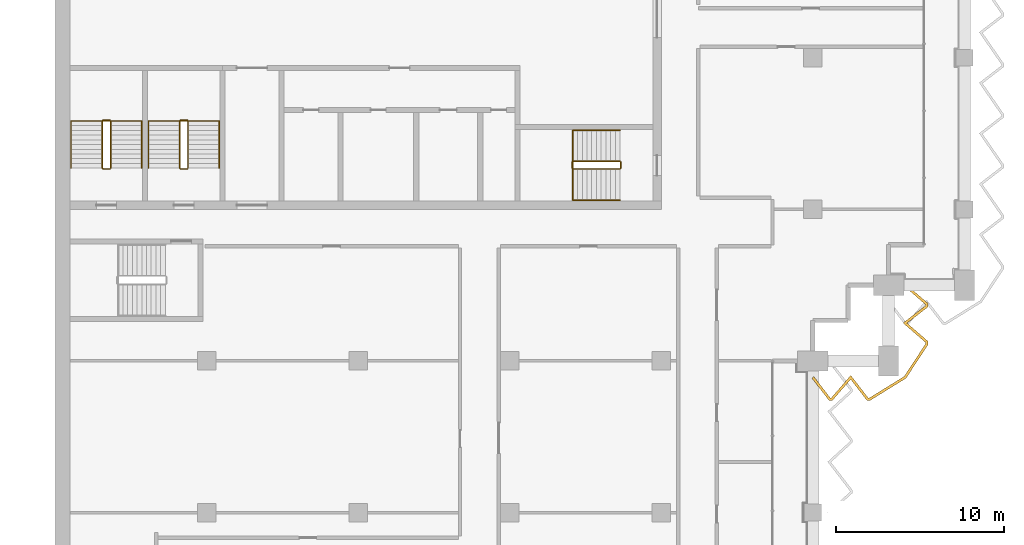
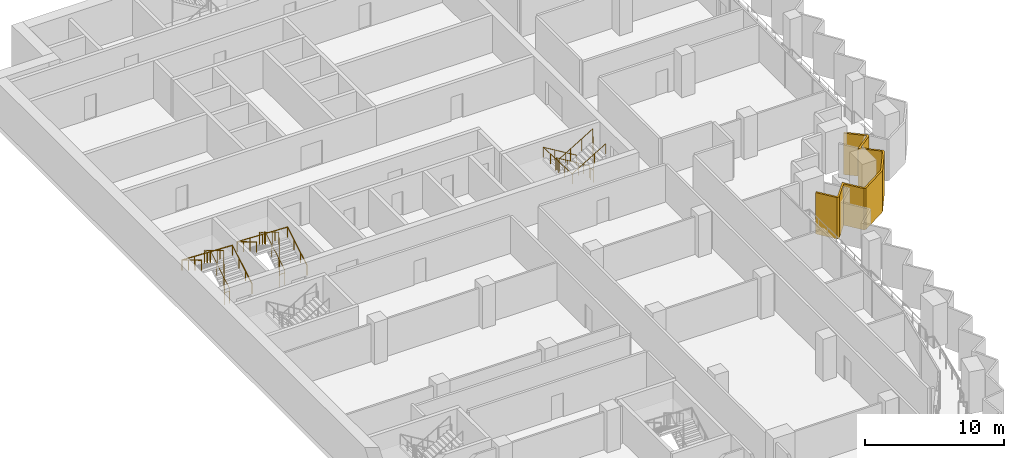
# One storey, part 16 of 17: 6 railings, 1 shading device.
"""IFC4 building model written with IfcOpenShell, lengths in metres."""

import ifcopenshell
import ifcopenshell.guid

model = None  # the IFC model being written
_history = None  # IfcOwnerHistory: only IFC2X3 demands one
_inside = {}  # id of a spatial element -> (the spatial element, [elements in it])
_under = {}  # id of a project, library or spatial element -> (it, [spatial elements below it])
_declared = {}  # id of a project -> (the project, [libraries it declares])
_typed = {}  # id of a type object -> (the type object, [elements of that type])
_made_of = {}  # id of a material, layer set ... -> (it, [elements and type objects made of it])


def new_model(schema):
    """Start an empty IFC model of exactly this schema.

    Asked for "IFC4X3", IfcOpenShell would pick the latest addendum, in which some entities
    have other attributes; the version numbers below select the first issue.
    IFC2X3 requires an IfcOwnerHistory on every rooted entity: one is made here for all.
    """
    global model, _history
    if schema == "IFC4X3":
        model = ifcopenshell.file(schema_version=(4, 3, 0, 0))
    else:
        model = ifcopenshell.file(schema=schema)
    _inside.clear()
    _under.clear()
    _declared.clear()
    _typed.clear()
    _made_of.clear()
    _history = None
    if model.schema == "IFC2X3":
        org = make("IfcOrganization", Name="unknown")
        user = make(
            "IfcPersonAndOrganization",
            ThePerson=make("IfcPerson", FamilyName="unknown"),
            TheOrganization=org,
        )
        app = make(
            "IfcApplication",
            ApplicationDeveloper=org,
            Version="unknown",
            ApplicationFullName="unknown",
            ApplicationIdentifier="unknown",
        )
        _history = make(
            "IfcOwnerHistory",
            OwningUser=user,
            OwningApplication=app,
            ChangeAction="ADDED",
            CreationDate=0,
        )
    return model


def make(cls, **values):
    """One entity of the class cls with the attributes given. An attribute that is None is left unset."""
    return model.create_entity(
        cls, **{name: value for name, value in values.items() if value is not None}
    )


def rooted(cls, **values):
    """An entity with a GlobalId (a new one), such as an element, a storey or a relation."""
    return make(cls, GlobalId=ifcopenshell.guid.new(), OwnerHistory=_history, **values)


def si_unit(unit_type, name, prefix=None):
    """IfcSIUnit, for example si_unit("LENGTHUNIT", "METRE", prefix="MILLI")."""
    return make("IfcSIUnit", UnitType=unit_type, Prefix=prefix, Name=name)


def assignment(units):
    """IfcUnitAssignment: the units of a project."""
    return None if units is None else make("IfcUnitAssignment", Units=units)


def point(xyz):
    """IfcCartesianPoint."""
    return None if xyz is None else make("IfcCartesianPoint", Coordinates=xyz)


def direction(xyz):
    """IfcDirection."""
    return None if xyz is None else make("IfcDirection", DirectionRatios=xyz)


def frame(location, z_axis=None, x_axis=None):
    """IfcAxis2Placement3D, a coordinate frame: its origin and axes. An axis left out is left unset."""
    return make(
        "IfcAxis2Placement3D",
        Location=point(location),
        Axis=direction(z_axis),
        RefDirection=direction(x_axis),
    )


def frame_2d(location, x_axis=None):
    """IfcAxis2Placement2D, a coordinate frame in the plane: its origin and x axis."""
    return make(
        "IfcAxis2Placement2D", Location=point(location), RefDirection=direction(x_axis)
    )


def origin():
    """The frame at (0, 0, 0) with its axes left unset."""
    return frame((0.0, 0.0, 0.0))


def origin_2d():
    """The frame at (0, 0) in the plane with its x axis left unset."""
    return frame_2d((0.0, 0.0))


def place(relative_to, where):
    """IfcLocalPlacement: puts the frame where relative to a parent placement (None: the world)."""
    return make(
        "IfcLocalPlacement", PlacementRelTo=relative_to, RelativePlacement=where
    )


def context(
    kind, dimensions, precision=None, world=None, true_north=None, identifier=None
):
    """IfcGeometricRepresentationContext, for example the 3D "Model" context."""
    return make(
        "IfcGeometricRepresentationContext",
        ContextIdentifier=identifier,
        ContextType=kind,
        CoordinateSpaceDimension=dimensions,
        Precision=precision,
        WorldCoordinateSystem=world,
        TrueNorth=true_north,
    )


def subcontext(parent, identifier, kind, view, scale=None):
    """IfcGeometricRepresentationSubContext, for example "Body" below "Model"."""
    return make(
        "IfcGeometricRepresentationSubContext",
        ContextIdentifier=identifier,
        ContextType=kind,
        ParentContext=parent,
        TargetScale=scale,
        TargetView=view,
    )


def project(units=None, contexts=None):
    """IfcProject with its units and contexts."""
    return rooted(
        "IfcProject",
        Name="project",
        RepresentationContexts=contexts,
        UnitsInContext=assignment(units),
    )


def spatial(cls, under=None, at=None, **own):
    """A site, building, storey or space (cls), placed at a placement, below another one or the project."""
    s = rooted(cls, ObjectPlacement=at, **own)
    if under is not None:
        _under.setdefault(under.id(), (under, []))[1].append(s)
    return s


def polyline(points):
    """IfcPolyline through the points."""
    return make("IfcPolyline", Points=[point(p) for p in points])


def profile(cls, at=None, kind="AREA", **sizes):
    """A parametric profile (cls). Its sizes go by their IFC names, for example OverallWidth=200.0."""
    return make(cls, ProfileType=kind, Position=at, **sizes)


def circle(**sizes):
    """IfcCircleProfileDef."""
    return profile("IfcCircleProfileDef", **sizes)


def outline(outer, holes=None, kind="AREA"):
    """IfcArbitraryClosedProfileDef: a profile drawn as a closed curve; with holes, ...WithVoids."""
    if holes is None:
        return make("IfcArbitraryClosedProfileDef", ProfileType=kind, OuterCurve=outer)
    return make(
        "IfcArbitraryProfileDefWithVoids",
        ProfileType=kind,
        OuterCurve=outer,
        InnerCurves=holes,
    )


def extrude(swept, where, along, depth):
    """IfcExtrudedAreaSolid: the profile swept, set in the frame where, extruded along a direction by depth."""
    return make(
        "IfcExtrudedAreaSolid",
        SweptArea=swept,
        Position=where,
        ExtrudedDirection=direction(along),
        Depth=depth,
    )


def shape(context_of_items, identifier, shape_type, items):
    """IfcShapeRepresentation: the items that make up one representation, for example the "Body"."""
    return make(
        "IfcShapeRepresentation",
        ContextOfItems=context_of_items,
        RepresentationIdentifier=identifier,
        RepresentationType=shape_type,
        Items=items,
    )


def material(Name=None, Category=None):
    """IfcMaterial."""
    return make("IfcMaterial", Name=Name, Category=Category)


def layer(
    of_material, thickness, ventilated=None, Name=None, Category=None, Priority=None
):
    """IfcMaterialLayer: one layer of a wall or slab, of a material (None: an air gap)."""
    return make(
        "IfcMaterialLayer",
        Material=of_material,
        LayerThickness=thickness,
        IsVentilated=ventilated,
        Name=Name,
        Category=Category,
        Priority=Priority,
    )


def layer_set(layers, Name=None):
    """IfcMaterialLayerSet."""
    return make("IfcMaterialLayerSet", MaterialLayers=layers, LayerSetName=Name)


def made_of(thing, what):
    """Note that an element or type object is made of a material, layer set ...; save() writes the relation."""
    if what is not None:
        _made_of.setdefault(what.id(), (what, []))[1].append(thing)
    return thing


def type_object(cls, material=None, **own):
    """A type object (cls), such as IfcWallType, which elements share."""
    return made_of(rooted(cls, **own), material)


def element(
    cls,
    number,
    at=None,
    inside=None,
    cuts=None,
    type_object=None,
    material=None,
    context=None,
    identifier="Body",
    shape_type=None,
    held_by="IfcProductDefinitionShape",
    body=None,
    shapes=None,
    **own,
):
    """One element of the class cls, such as IfcWall. Its Tag is "e" and its number.

    at: its placement. inside: the storey or other place that contains it. cuts: it is an
    opening in that element (IfcRelVoidsElement). A single representation is given by context,
    identifier, shape_type and body (its items); several are given by shapes. held_by: the class
    of the entity that holds the representations. save() writes the other relations.
    """
    e = rooted(cls, Tag="e%d" % number, ObjectPlacement=at, **own)
    if body is not None:
        shapes = [shape(context, identifier, shape_type, body)]
    if shapes is not None:
        e.Representation = make(held_by, Representations=shapes)
    if inside is not None:
        _inside.setdefault(inside.id(), (inside, []))[1].append(e)
    if cuts is not None:
        rooted(
            "IfcRelVoidsElement", RelatingBuildingElement=cuts, RelatedOpeningElement=e
        )
    if type_object is not None:
        _typed.setdefault(type_object.id(), (type_object, []))[1].append(e)
    return made_of(e, material)


def aggregate(whole, parts):
    """IfcRelAggregates: a whole, such as a stair, and the parts it consists of."""
    return rooted("IfcRelAggregates", RelatingObject=whole, RelatedObjects=parts)


def save(model, path):
    """Write the relations noted so far, then the file.

    IfcRelAggregates (storeys below a building ...), IfcRelContainedInSpatialStructure (elements
    in a storey), IfcRelDefinesByType, IfcRelAssociatesMaterial and IfcRelDeclares: one each for
    every whole, place, type object, material and project.
    """
    for whole, parts in _under.values():
        aggregate(whole, parts)
    for where, things in _inside.values():
        rooted(
            "IfcRelContainedInSpatialStructure",
            RelatedElements=things,
            RelatingStructure=where,
        )
    for kind, things in _typed.values():
        rooted("IfcRelDefinesByType", RelatedObjects=things, RelatingType=kind)
    for what, things in _made_of.values():
        rooted("IfcRelAssociatesMaterial", RelatedObjects=things, RelatingMaterial=what)
    for by, libraries in _declared.values():
        rooted("IfcRelDeclares", RelatingContext=by, RelatedDefinitions=libraries)
    model.write(path)


model = new_model("IFC4")

# Units and contexts
model_context = context("Model", 3, precision=1e-05, world=origin(), true_north=direction((0.0, 1.0)))
body_context = subcontext(model_context, "Body", "Model", "MODEL_VIEW")
ifc_project = project(units=[si_unit("LENGTHUNIT", "METRE"), si_unit("AREAUNIT", "SQUARE_METRE"), si_unit("VOLUMEUNIT", "CUBIC_METRE"), si_unit("PLANEANGLEUNIT", "RADIAN"), si_unit("MASSUNIT", "GRAM", prefix="KILO")], contexts=[model_context])

# Site, building, storey
site_placement = place(None, origin())
site = spatial("IfcSite", under=ifc_project, at=site_placement, CompositionType="ELEMENT")
building_placement = place(site_placement, origin())
building = spatial("IfcBuilding", under=site, at=building_placement, Name="Hunhe Ridgeline Campus", CompositionType="ELEMENT")
storey_placement = place(building_placement, frame((0.0, 0.0, 193.89990234375)))
storey = spatial("IfcBuildingStorey", under=building, at=storey_placement, Name="L49", CompositionType="ELEMENT", Elevation=193.89990234375)

# Shading device
ifc_material_1 = material(Name="Concrete C50", Category="concrete")
ifc_layer = layer(ifc_material_1, 0.14990234375)
ifc_layer_set = layer_set([ifc_layer], Name="Sawtooth concrete fin 150 Concrete C50")
shading_device_type = type_object("IfcShadingDeviceType", Name="Sawtooth concrete fin 150 Concrete C50", PredefinedType="USERDEFINED", material=ifc_layer_set)
shading_device_placement = place(storey_placement, frame((0.0, 0.0, -0.949951171875)))
element("IfcShadingDevice", 1, at=shading_device_placement, inside=storey, type_object=shading_device_type, Name="Concrete fin screen 2", ObjectType="FIN", PredefinedType="USERDEFINED", context=body_context, shape_type="SweptSolid", body=[
    extrude(outline(polyline([(45.059326171875, 53.07080078125), (44.940673828125, 52.979248046875), (45.965087890625, 51.64990234375), (46.15625, 51.64990234375), (47.24658203125, 52.906494140625), (48.215087890625, 51.64990234375), (48.393310546875, 51.64990234375), (50.528564453125, 52.969970703125), (51.85009765625, 54.9794921875), (51.85009765625, 55.15625), (50.593505859375, 56.24658203125), (51.85009765625, 57.215087890625), (51.85009765625, 57.40625), (50.524169921875, 58.556640625), (50.42578125, 58.443359375), (51.699951171875, 57.337890625), (51.699951171875, 57.288818359375), (50.356689453125, 56.25341796875), (51.699951171875, 55.087890625), (51.699951171875, 55.0244140625), (50.42138671875, 53.080078125), (48.350830078125, 51.800048828125), (48.288818359375, 51.800048828125), (47.25341796875, 53.143310546875), (46.087890625, 51.800048828125), (46.038818359375, 51.800048828125), (45.059326171875, 53.07080078125)])), origin(), (0.0, 0.0, 1.0), 3.650146484375),
])

# Railings
ifc_material_2 = material(Name="Stainless steel balustrade", Category="steel")
railing_type_1 = type_object("IfcRailingType", Name="Stair guard 1100 stainless", PredefinedType="GUARDRAIL", material=ifc_material_2)
railing_1_placement = place(storey_placement, frame((33.550048828125, 65.85009765625, 0.168212890625)))
element("IfcRailing", 2, at=railing_1_placement, inside=storey, type_object=railing_type_1, Name="L49 stair S2 guard", PredefinedType="GUARDRAIL", context=body_context, shape_type="SweptSolid", body=[
    extrude(circle(Radius=0.02392578125, at=origin_2d()), frame((0.0, 0.0, 1.076171875), z_axis=(-0.857242210791, 0.0, 0.514913383045), x_axis=(0.0, -1.0, 0.0)), (0.0, 0.0, 1.0), 3.266357421875),
    extrude(circle(Radius=0.02392578125, at=origin_2d()), frame((-2.800048828125, 0.0, 2.7578125), z_axis=(-0.707106781187, -0.707106781187, 0.0), x_axis=(0.707106781187, -0.707106781187, 0.0)), (0.0, 0.0, 1.0), 0.07080078125),
    extrude(circle(Radius=0.02392578125, at=origin_2d()), frame((-2.85009765625, -0.050048828125, 2.7578125), z_axis=(0.0, -1.0, 0.0), x_axis=(1.0, 0.0, 0.0)), (0.0, 0.0, 1.0), 0.35009765625),
    extrude(circle(Radius=0.02392578125, at=origin_2d()), frame((-2.85009765625, -0.400146484375, 2.7578125), z_axis=(0.274243871929, -0.274243871929, 0.92172696468), x_axis=(0.707106781187, 0.707106781187, 0.0)), (0.0, 0.0, 1.0), 0.1826171875),
    extrude(circle(Radius=0.02392578125, at=origin_2d()), frame((-2.800048828125, -0.4501953125, 2.92626953125), z_axis=(0.857242210791, 0.0, 0.514913383045), x_axis=(0.0, 1.0, 0.0)), (0.0, 0.0, 1.0), 3.266357421875),
    extrude(circle(Radius=0.02392578125, at=origin_2d()), frame((0.0, -0.4501953125, 4.60791015625), z_axis=(0.013523522368, 0.013523522368, -0.999817097616), x_axis=(-0.707106781187, 0.707106781187, 0.0)), (0.0, 0.0, 1.0), 3.700927734375),
    extrude(circle(Radius=0.02392578125, at=origin_2d()), frame((0.050048828125, -0.400146484375, 0.90771484375), z_axis=(0.0, 1.0, 0.0), x_axis=(-1.0, 0.0, 0.0)), (0.0, 0.0, 1.0), 0.35009765625),
    extrude(circle(Radius=0.02099609375, at=origin_2d()), origin(), (0.0, 0.0, 1.0), 1.052001953125),
    extrude(circle(Radius=0.02099609375, at=origin_2d()), frame((-0.933349609375, 0.0, 0.560546875)), (0.0, 0.0, 1.0), 1.052001953125),
    extrude(circle(Radius=0.02099609375, at=origin_2d()), frame((-1.86669921875, 0.0, 1.121337890625)), (0.0, 0.0, 1.0), 1.052001953125),
    extrude(circle(Radius=0.02099609375, at=origin_2d()), frame((-2.800048828125, 0.0, 1.681884765625)), (0.0, 0.0, 1.0), 1.052001953125),
    extrude(circle(Radius=0.02099609375, at=origin_2d()), frame((-2.85009765625, -0.050048828125, 1.681884765625)), (0.0, 0.0, 1.0), 1.052001953125),
    extrude(circle(Radius=0.02099609375, at=origin_2d()), frame((-2.85009765625, -0.400146484375, 1.681884765625)), (0.0, 0.0, 1.0), 1.052001953125),
    extrude(circle(Radius=0.02099609375, at=origin_2d()), frame((-2.800048828125, -0.4501953125, 1.85009765625)), (0.0, 0.0, 1.0), 1.052001953125),
    extrude(circle(Radius=0.02099609375, at=origin_2d()), frame((-1.86669921875, -0.4501953125, 2.41064453125)), (0.0, 0.0, 1.0), 1.052001953125),
    extrude(circle(Radius=0.02099609375, at=origin_2d()), frame((-0.933349609375, -0.4501953125, 2.971435546875)), (0.0, 0.0, 1.0), 1.052001953125),
    extrude(circle(Radius=0.02099609375, at=origin_2d()), frame((0.0, -0.4501953125, 3.531982421875)), (0.0, 0.0, 1.0), 1.052001953125),
    extrude(circle(Radius=0.02099609375, at=origin_2d()), frame((0.012451171875, -0.437744140625, 2.60693359375)), (0.0, 0.0, 1.0), 1.052001953125),
    extrude(circle(Radius=0.02099609375, at=origin_2d()), frame((0.02490234375, -0.42529296875, 1.681884765625)), (0.0, 0.0, 1.0), 1.052001953125),
    extrude(circle(Radius=0.02099609375, at=origin_2d()), frame((0.03759765625, -0.41259765625, 0.7568359375)), (0.0, 0.0, 1.0), 1.052001953125),
    extrude(circle(Radius=0.02099609375, at=origin_2d()), frame((0.050048828125, -0.400146484375, -0.168212890625)), (0.0, 0.0, 1.0), 1.052001953125),
    extrude(circle(Radius=0.02099609375, at=origin_2d()), frame((0.050048828125, -0.050048828125, -0.168212890625)), (0.0, 0.0, 1.0), 1.052001953125),
])
railing_2_placement = place(storey_placement, frame((3.300048828125, 65.449951171875, 0.168212890625)))
element("IfcRailing", 3, at=railing_2_placement, inside=storey, type_object=railing_type_1, Name="L49 stair S3 guard", PredefinedType="GUARDRAIL", context=body_context, shape_type="SweptSolid", body=[
    extrude(circle(Radius=0.02392578125, at=origin_2d()), frame((0.0, 0.0, 1.076171875), z_axis=(0.0, 0.857242210791, 0.514913383045), x_axis=(-1.0, 0.0, 0.0)), (0.0, 0.0, 1.0), 3.266357421875),
    extrude(circle(Radius=0.02392578125, at=origin_2d()), frame((0.0, 2.800048828125, 2.7578125), z_axis=(-0.707106781187, 0.707106781187, 0.0), x_axis=(-0.707106781187, -0.707106781187, 0.0)), (0.0, 0.0, 1.0), 0.07080078125),
    extrude(circle(Radius=0.02392578125, at=origin_2d()), frame((-0.050048828125, 2.85009765625, 2.7578125), z_axis=(-1.0, 0.0, 0.0), x_axis=(0.0, -1.0, 0.0)), (0.0, 0.0, 1.0), 0.39990234375),
    extrude(circle(Radius=0.02392578125, at=origin_2d()), frame((-0.449951171875, 2.85009765625, 2.7578125), z_axis=(-0.274243871929, -0.274243871929, 0.92172696468), x_axis=(0.707106781187, -0.707106781187, 0.0)), (0.0, 0.0, 1.0), 0.1826171875),
    extrude(circle(Radius=0.02392578125, at=origin_2d()), frame((-0.5, 2.800048828125, 2.92626953125), z_axis=(0.0, -0.857242210791, 0.514913383045), x_axis=(1.0, 0.0, 0.0)), (0.0, 0.0, 1.0), 3.266357421875),
    extrude(circle(Radius=0.02392578125, at=origin_2d()), frame((-0.5, 0.0, 4.60791015625), z_axis=(0.013523522368, -0.013523522368, -0.999817097616), x_axis=(0.707106781187, 0.707106781187, 0.0)), (0.0, 0.0, 1.0), 3.700927734375),
    extrude(circle(Radius=0.02392578125, at=origin_2d()), frame((-0.449951171875, -0.050048828125, 0.90771484375), z_axis=(1.0, 0.0, 0.0), x_axis=(0.0, 1.0, 0.0)), (0.0, 0.0, 1.0), 0.39990234375),
    extrude(circle(Radius=0.02099609375, at=origin_2d()), origin(), (0.0, 0.0, 1.0), 1.052001953125),
    extrude(circle(Radius=0.02099609375, at=origin_2d()), frame((0.0, 0.933349609375, 0.560546875)), (0.0, 0.0, 1.0), 1.052001953125),
    extrude(circle(Radius=0.02099609375, at=origin_2d()), frame((0.0, 1.86669921875, 1.121337890625)), (0.0, 0.0, 1.0), 1.052001953125),
    extrude(circle(Radius=0.02099609375, at=origin_2d()), frame((0.0, 2.800048828125, 1.681884765625)), (0.0, 0.0, 1.0), 1.052001953125),
    extrude(circle(Radius=0.02099609375, at=origin_2d()), frame((-0.050048828125, 2.85009765625, 1.681884765625)), (0.0, 0.0, 1.0), 1.052001953125),
    extrude(circle(Radius=0.02099609375, at=origin_2d()), frame((-0.449951171875, 2.85009765625, 1.681884765625)), (0.0, 0.0, 1.0), 1.052001953125),
    extrude(circle(Radius=0.02099609375, at=origin_2d()), frame((-0.5, 2.800048828125, 1.85009765625)), (0.0, 0.0, 1.0), 1.052001953125),
    extrude(circle(Radius=0.02099609375, at=origin_2d()), frame((-0.5, 1.86669921875, 2.41064453125)), (0.0, 0.0, 1.0), 1.052001953125),
    extrude(circle(Radius=0.02099609375, at=origin_2d()), frame((-0.5, 0.933349609375, 2.971435546875)), (0.0, 0.0, 1.0), 1.052001953125),
    extrude(circle(Radius=0.02099609375, at=origin_2d()), frame((-0.5, 0.0, 3.531982421875)), (0.0, 0.0, 1.0), 1.052001953125),
    extrude(circle(Radius=0.02099609375, at=origin_2d()), frame((-0.487548828125, -0.012451171875, 2.60693359375)), (0.0, 0.0, 1.0), 1.052001953125),
    extrude(circle(Radius=0.02099609375, at=origin_2d()), frame((-0.47509765625, -0.02490234375, 1.681884765625)), (0.0, 0.0, 1.0), 1.052001953125),
    extrude(circle(Radius=0.02099609375, at=origin_2d()), frame((-0.46240234375, -0.03759765625, 0.7568359375)), (0.0, 0.0, 1.0), 1.052001953125),
    extrude(circle(Radius=0.02099609375, at=origin_2d()), frame((-0.449951171875, -0.050048828125, -0.168212890625)), (0.0, 0.0, 1.0), 1.052001953125),
    extrude(circle(Radius=0.02099609375, at=origin_2d()), frame((-0.050048828125, -0.050048828125, -0.168212890625)), (0.0, 0.0, 1.0), 1.052001953125),
])
railing_3_placement = place(storey_placement, frame((7.89990234375, 65.449951171875, 0.168212890625)))
element("IfcRailing", 4, at=railing_3_placement, inside=storey, type_object=railing_type_1, Name="L49 stair S4 guard", PredefinedType="GUARDRAIL", context=body_context, shape_type="SweptSolid", body=[
    extrude(circle(Radius=0.02392578125, at=origin_2d()), frame((0.0, 0.0, 1.076171875), z_axis=(0.0, 0.857242210791, 0.514913383045), x_axis=(-1.0, 0.0, 0.0)), (0.0, 0.0, 1.0), 3.266357421875),
    extrude(circle(Radius=0.02392578125, at=origin_2d()), frame((0.0, 2.800048828125, 2.7578125), z_axis=(-0.705375805398, 0.708833529934, 0.0), x_axis=(-0.708833529934, -0.705375805398, 0.0)), (0.0, 0.0, 1.0), 0.070556640625),
    extrude(circle(Radius=0.02392578125, at=origin_2d()), frame((-0.0498046875, 2.85009765625, 2.7578125), z_axis=(-1.0, 0.0, 0.0), x_axis=(0.0, -1.0, 0.0)), (0.0, 0.0, 1.0), 0.400146484375),
    extrude(circle(Radius=0.02392578125, at=origin_2d()), frame((-0.449951171875, 2.85009765625, 2.7578125), z_axis=(-0.274243871929, -0.274243871929, 0.92172696468), x_axis=(0.707106781187, -0.707106781187, 0.0)), (0.0, 0.0, 1.0), 0.1826171875),
    extrude(circle(Radius=0.02392578125, at=origin_2d()), frame((-0.5, 2.800048828125, 2.92626953125), z_axis=(0.0, -0.857242210791, 0.514913383045), x_axis=(1.0, 0.0, 0.0)), (0.0, 0.0, 1.0), 3.266357421875),
    extrude(circle(Radius=0.02392578125, at=origin_2d()), frame((-0.5, 0.0, 4.60791015625), z_axis=(0.013523522368, -0.013523522368, -0.999817097616), x_axis=(0.707106781187, 0.707106781187, 0.0)), (0.0, 0.0, 1.0), 3.700927734375),
    extrude(circle(Radius=0.02392578125, at=origin_2d()), frame((-0.449951171875, -0.050048828125, 0.90771484375), z_axis=(1.0, 0.0, 0.0), x_axis=(0.0, 1.0, 0.0)), (0.0, 0.0, 1.0), 0.400146484375),
    extrude(circle(Radius=0.02099609375, at=origin_2d()), origin(), (0.0, 0.0, 1.0), 1.052001953125),
    extrude(circle(Radius=0.02099609375, at=origin_2d()), frame((0.0, 0.933349609375, 0.560546875)), (0.0, 0.0, 1.0), 1.052001953125),
    extrude(circle(Radius=0.02099609375, at=origin_2d()), frame((0.0, 1.86669921875, 1.121337890625)), (0.0, 0.0, 1.0), 1.052001953125),
    extrude(circle(Radius=0.02099609375, at=origin_2d()), frame((0.0, 2.800048828125, 1.681884765625)), (0.0, 0.0, 1.0), 1.052001953125),
    extrude(circle(Radius=0.02099609375, at=origin_2d()), frame((-0.0498046875, 2.85009765625, 1.681884765625)), (0.0, 0.0, 1.0), 1.052001953125),
    extrude(circle(Radius=0.02099609375, at=origin_2d()), frame((-0.449951171875, 2.85009765625, 1.681884765625)), (0.0, 0.0, 1.0), 1.052001953125),
    extrude(circle(Radius=0.02099609375, at=origin_2d()), frame((-0.5, 2.800048828125, 1.85009765625)), (0.0, 0.0, 1.0), 1.052001953125),
    extrude(circle(Radius=0.02099609375, at=origin_2d()), frame((-0.5, 1.86669921875, 2.41064453125)), (0.0, 0.0, 1.0), 1.052001953125),
    extrude(circle(Radius=0.02099609375, at=origin_2d()), frame((-0.5, 0.933349609375, 2.971435546875)), (0.0, 0.0, 1.0), 1.052001953125),
    extrude(circle(Radius=0.02099609375, at=origin_2d()), frame((-0.5, 0.0, 3.531982421875)), (0.0, 0.0, 1.0), 1.052001953125),
    extrude(circle(Radius=0.02099609375, at=origin_2d()), frame((-0.487548828125, -0.012451171875, 2.60693359375)), (0.0, 0.0, 1.0), 1.052001953125),
    extrude(circle(Radius=0.02099609375, at=origin_2d()), frame((-0.47509765625, -0.02490234375, 1.681884765625)), (0.0, 0.0, 1.0), 1.052001953125),
    extrude(circle(Radius=0.02099609375, at=origin_2d()), frame((-0.46240234375, -0.03759765625, 0.7568359375)), (0.0, 0.0, 1.0), 1.052001953125),
    extrude(circle(Radius=0.02099609375, at=origin_2d()), frame((-0.449951171875, -0.050048828125, -0.168212890625)), (0.0, 0.0, 1.0), 1.052001953125),
    extrude(circle(Radius=0.02099609375, at=origin_2d()), frame((-0.0498046875, -0.050048828125, -0.168212890625)), (0.0, 0.0, 1.0), 1.052001953125),
])
ifc_material_3 = material(Name="Stainless steel handrail", Category="steel")
railing_type_2 = type_object("IfcRailingType", Name="Stair handrail 900 stainless", PredefinedType="HANDRAIL", material=ifc_material_3)
railing_4_placement = place(storey_placement, frame((33.550048828125, 67.699951171875, 0.168212890625)))
element("IfcRailing", 5, at=railing_4_placement, inside=storey, type_object=railing_type_2, Name="L49 stair S2 handrail", PredefinedType="HANDRAIL", context=body_context, shape_type="SweptSolid", body=[
    extrude(circle(Radius=0.02392578125, at=origin_2d()), frame((0.0, 0.0, 0.8759765625), z_axis=(-0.857242210791, 0.0, 0.514913383045), x_axis=(0.0, -1.0, 0.0)), (0.0, 0.0, 1.0), 3.266357421875),
    extrude(circle(Radius=0.02392578125, at=origin_2d()), frame((-2.800048828125, 0.0, 2.5576171875), z_axis=(0.0, -0.99917950104, 0.040500922239), x_axis=(1.0, 0.0, 0.0)), (0.0, 0.0, 1.0), 4.1533203125),
    extrude(circle(Radius=0.02392578125, at=origin_2d()), frame((-2.800048828125, -4.14990234375, 2.72607421875), z_axis=(0.857242210791, 0.0, 0.514913383045), x_axis=(0.0, 1.0, 0.0)), (0.0, 0.0, 1.0), 3.266357421875),
    extrude(circle(Radius=0.02099609375, at=origin_2d()), origin(), (0.0, 0.0, 1.0), 0.851806640625),
    extrude(circle(Radius=0.02099609375, at=origin_2d()), frame((-0.933349609375, 0.0, 0.560546875)), (0.0, 0.0, 1.0), 0.851806640625),
    extrude(circle(Radius=0.02099609375, at=origin_2d()), frame((-1.86669921875, 0.0, 1.121337890625)), (0.0, 0.0, 1.0), 0.851806640625),
    extrude(circle(Radius=0.02099609375, at=origin_2d()), frame((-2.800048828125, 0.0, 1.681884765625)), (0.0, 0.0, 1.0), 0.851806640625),
    extrude(circle(Radius=0.02099609375, at=origin_2d()), frame((-2.800048828125, -1.03759765625, 1.723876953125)), (0.0, 0.0, 1.0), 0.851806640625),
    extrude(circle(Radius=0.02099609375, at=origin_2d()), frame((-2.800048828125, -2.074951171875, 1.76611328125)), (0.0, 0.0, 1.0), 0.851806640625),
    extrude(circle(Radius=0.02099609375, at=origin_2d()), frame((-2.800048828125, -3.1123046875, 1.80810546875)), (0.0, 0.0, 1.0), 0.851806640625),
    extrude(circle(Radius=0.02099609375, at=origin_2d()), frame((-2.800048828125, -4.14990234375, 1.85009765625)), (0.0, 0.0, 1.0), 0.851806640625),
    extrude(circle(Radius=0.02099609375, at=origin_2d()), frame((-1.86669921875, -4.14990234375, 2.41064453125)), (0.0, 0.0, 1.0), 0.851806640625),
    extrude(circle(Radius=0.02099609375, at=origin_2d()), frame((-0.933349609375, -4.14990234375, 2.971435546875)), (0.0, 0.0, 1.0), 0.851806640625),
    extrude(circle(Radius=0.02099609375, at=origin_2d()), frame((0.0, -4.14990234375, 3.531982421875)), (0.0, 0.0, 1.0), 0.851806640625),
])
railing_5_placement = place(storey_placement, frame((5.14990234375, 65.449951171875, 0.168212890625)))
element("IfcRailing", 6, at=railing_5_placement, inside=storey, type_object=railing_type_2, Name="L49 stair S3 handrail", PredefinedType="HANDRAIL", context=body_context, shape_type="SweptSolid", body=[
    extrude(circle(Radius=0.02392578125, at=origin_2d()), frame((0.0, 0.0, 0.8759765625), z_axis=(0.0, 0.857242210791, 0.514913383045), x_axis=(-1.0, 0.0, 0.0)), (0.0, 0.0, 1.0), 3.266357421875),
    extrude(circle(Radius=0.02392578125, at=origin_2d()), frame((0.0, 2.800048828125, 2.5576171875), z_axis=(-0.999198916169, 0.0, 0.040019069537), x_axis=(0.0, -1.0, 0.0)), (0.0, 0.0, 1.0), 4.203369140625),
    extrude(circle(Radius=0.02392578125, at=origin_2d()), frame((-4.199951171875, 2.800048828125, 2.72607421875), z_axis=(0.0, -0.857242210791, 0.514913383045), x_axis=(1.0, 0.0, 0.0)), (0.0, 0.0, 1.0), 3.266357421875),
    extrude(circle(Radius=0.02099609375, at=origin_2d()), origin(), (0.0, 0.0, 1.0), 0.851806640625),
    extrude(circle(Radius=0.02099609375, at=origin_2d()), frame((0.0, 0.933349609375, 0.560546875)), (0.0, 0.0, 1.0), 0.851806640625),
    extrude(circle(Radius=0.02099609375, at=origin_2d()), frame((0.0, 1.86669921875, 1.121337890625)), (0.0, 0.0, 1.0), 0.851806640625),
    extrude(circle(Radius=0.02099609375, at=origin_2d()), frame((0.0, 2.800048828125, 1.681884765625)), (0.0, 0.0, 1.0), 0.851806640625),
    extrude(circle(Radius=0.02099609375, at=origin_2d()), frame((-1.050048828125, 2.800048828125, 1.723876953125)), (0.0, 0.0, 1.0), 0.851806640625),
    extrude(circle(Radius=0.02099609375, at=origin_2d()), frame((-2.10009765625, 2.800048828125, 1.76611328125)), (0.0, 0.0, 1.0), 0.851806640625),
    extrude(circle(Radius=0.02099609375, at=origin_2d()), frame((-3.14990234375, 2.800048828125, 1.80810546875)), (0.0, 0.0, 1.0), 0.851806640625),
    extrude(circle(Radius=0.02099609375, at=origin_2d()), frame((-4.199951171875, 2.800048828125, 1.85009765625)), (0.0, 0.0, 1.0), 0.851806640625),
    extrude(circle(Radius=0.02099609375, at=origin_2d()), frame((-4.199951171875, 1.86669921875, 2.41064453125)), (0.0, 0.0, 1.0), 0.851806640625),
    extrude(circle(Radius=0.02099609375, at=origin_2d()), frame((-4.199951171875, 0.933349609375, 2.971435546875)), (0.0, 0.0, 1.0), 0.851806640625),
    extrude(circle(Radius=0.02099609375, at=origin_2d()), frame((-4.199951171875, 0.0, 3.531982421875)), (0.0, 0.0, 1.0), 0.851806640625),
])
railing_6_placement = place(storey_placement, frame((9.75, 65.449951171875, 0.168212890625)))
element("IfcRailing", 7, at=railing_6_placement, inside=storey, type_object=railing_type_2, Name="L49 stair S4 handrail", PredefinedType="HANDRAIL", context=body_context, shape_type="SweptSolid", body=[
    extrude(circle(Radius=0.02392578125, at=origin_2d()), frame((0.0, 0.0, 0.8759765625), z_axis=(0.0, 0.857242210791, 0.514913383045), x_axis=(-1.0, 0.0, 0.0)), (0.0, 0.0, 1.0), 3.266357421875),
    extrude(circle(Radius=0.02392578125, at=origin_2d()), frame((0.0, 2.800048828125, 2.5576171875), z_axis=(-0.999198916169, 0.0, 0.040019069537), x_axis=(0.0, -1.0, 0.0)), (0.0, 0.0, 1.0), 4.203369140625),
    extrude(circle(Radius=0.02392578125, at=origin_2d()), frame((-4.199951171875, 2.800048828125, 2.72607421875), z_axis=(0.0, -0.857242210791, 0.514913383045), x_axis=(1.0, 0.0, 0.0)), (0.0, 0.0, 1.0), 3.266357421875),
    extrude(circle(Radius=0.02099609375, at=origin_2d()), origin(), (0.0, 0.0, 1.0), 0.851806640625),
    extrude(circle(Radius=0.02099609375, at=origin_2d()), frame((0.0, 0.933349609375, 0.560546875)), (0.0, 0.0, 1.0), 0.851806640625),
    extrude(circle(Radius=0.02099609375, at=origin_2d()), frame((0.0, 1.86669921875, 1.121337890625)), (0.0, 0.0, 1.0), 0.851806640625),
    extrude(circle(Radius=0.02099609375, at=origin_2d()), frame((0.0, 2.800048828125, 1.681884765625)), (0.0, 0.0, 1.0), 0.851806640625),
    extrude(circle(Radius=0.02099609375, at=origin_2d()), frame((-1.050048828125, 2.800048828125, 1.723876953125)), (0.0, 0.0, 1.0), 0.851806640625),
    extrude(circle(Radius=0.02099609375, at=origin_2d()), frame((-2.10009765625, 2.800048828125, 1.76611328125)), (0.0, 0.0, 1.0), 0.851806640625),
    extrude(circle(Radius=0.02099609375, at=origin_2d()), frame((-3.14990234375, 2.800048828125, 1.80810546875)), (0.0, 0.0, 1.0), 0.851806640625),
    extrude(circle(Radius=0.02099609375, at=origin_2d()), frame((-4.199951171875, 2.800048828125, 1.85009765625)), (0.0, 0.0, 1.0), 0.851806640625),
    extrude(circle(Radius=0.02099609375, at=origin_2d()), frame((-4.199951171875, 1.86669921875, 2.41064453125)), (0.0, 0.0, 1.0), 0.851806640625),
    extrude(circle(Radius=0.02099609375, at=origin_2d()), frame((-4.199951171875, 0.933349609375, 2.971435546875)), (0.0, 0.0, 1.0), 0.851806640625),
    extrude(circle(Radius=0.02099609375, at=origin_2d()), frame((-4.199951171875, 0.0, 3.531982421875)), (0.0, 0.0, 1.0), 0.851806640625),
])

save(model, "model.ifc")
